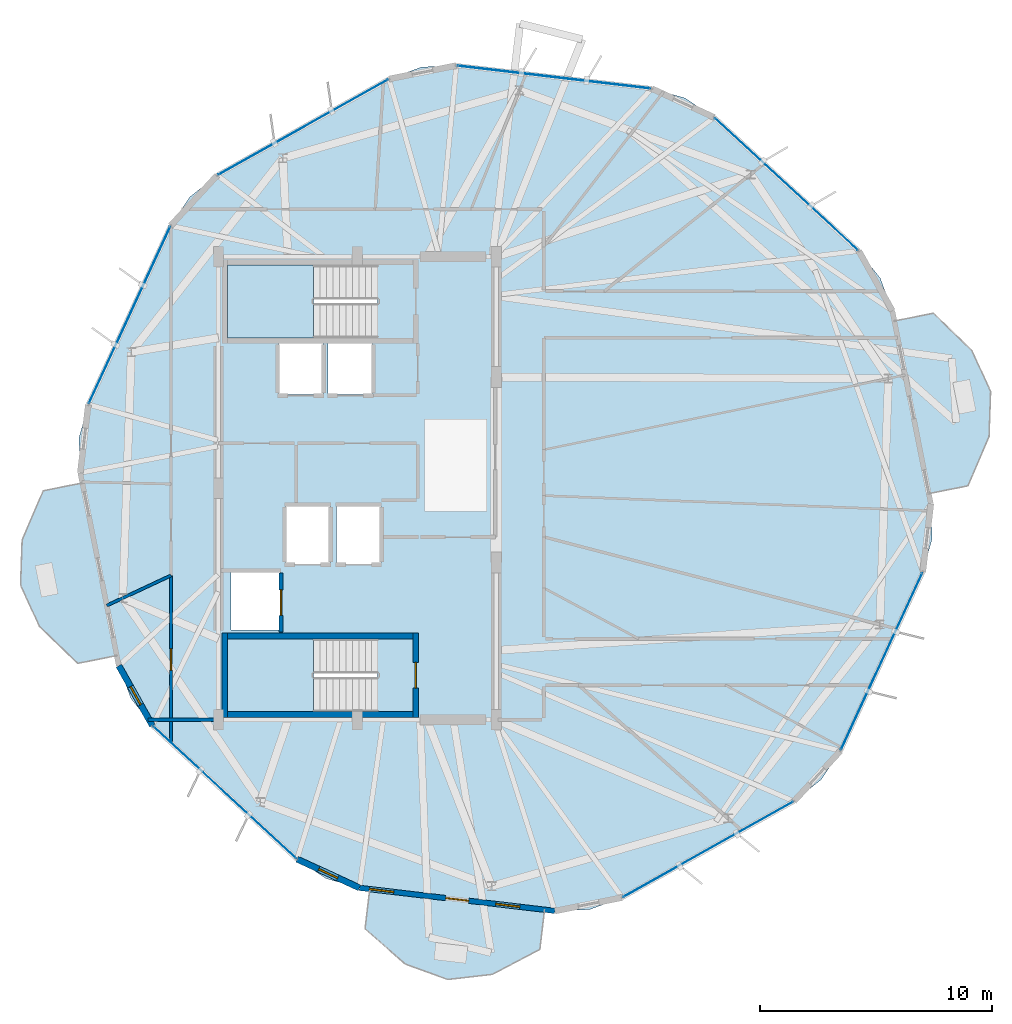
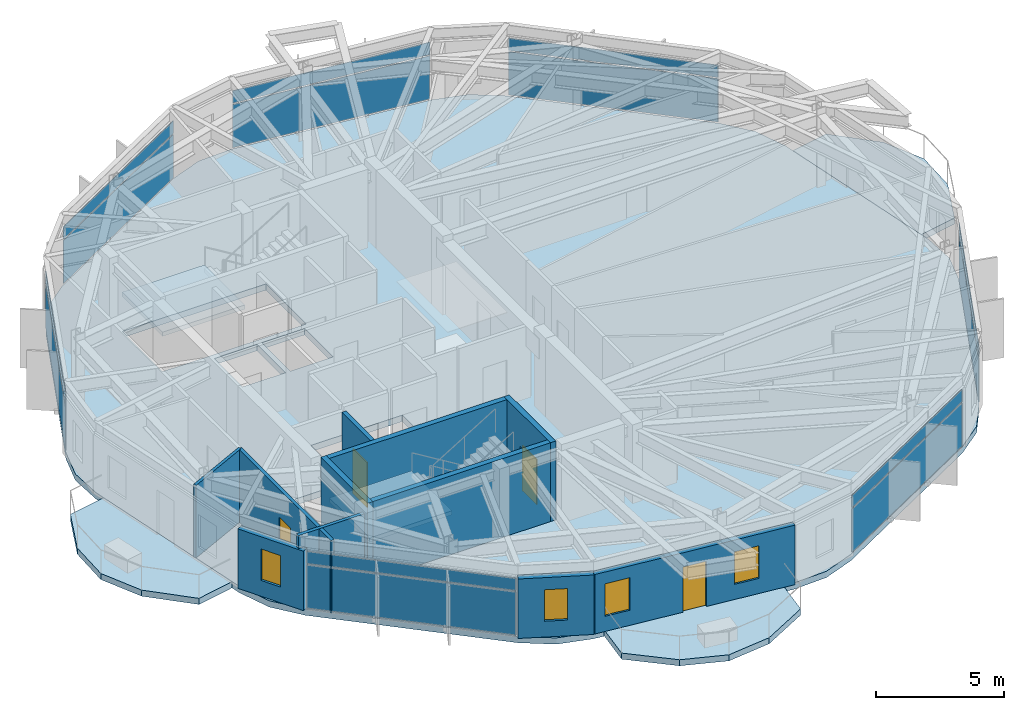
# One storey, part 19 of 25: 14 plates, 11 walls, 6 slabs, 4 doors, 4 windows, 8 openings, 9 elements without a shape of their own.
"""IFC4 building model written with IfcOpenShell, lengths in metres."""

import ifcopenshell
import ifcopenshell.guid

model = None  # the IFC model being written
_history = None  # IfcOwnerHistory: only IFC2X3 demands one
_inside = {}  # id of a spatial element -> (the spatial element, [elements in it])
_under = {}  # id of a project, library or spatial element -> (it, [spatial elements below it])
_declared = {}  # id of a project -> (the project, [libraries it declares])
_typed = {}  # id of a type object -> (the type object, [elements of that type])
_made_of = {}  # id of a material, layer set ... -> (it, [elements and type objects made of it])


def new_model(schema):
    """Start an empty IFC model of exactly this schema.

    Asked for "IFC4X3", IfcOpenShell would pick the latest addendum, in which some entities
    have other attributes; the version numbers below select the first issue.
    IFC2X3 requires an IfcOwnerHistory on every rooted entity: one is made here for all.
    """
    global model, _history
    if schema == "IFC4X3":
        model = ifcopenshell.file(schema_version=(4, 3, 0, 0))
    else:
        model = ifcopenshell.file(schema=schema)
    _inside.clear()
    _under.clear()
    _declared.clear()
    _typed.clear()
    _made_of.clear()
    _history = None
    if model.schema == "IFC2X3":
        org = make("IfcOrganization", Name="unknown")
        user = make(
            "IfcPersonAndOrganization",
            ThePerson=make("IfcPerson", FamilyName="unknown"),
            TheOrganization=org,
        )
        app = make(
            "IfcApplication",
            ApplicationDeveloper=org,
            Version="unknown",
            ApplicationFullName="unknown",
            ApplicationIdentifier="unknown",
        )
        _history = make(
            "IfcOwnerHistory",
            OwningUser=user,
            OwningApplication=app,
            ChangeAction="ADDED",
            CreationDate=0,
        )
    return model


def make(cls, **values):
    """One entity of the class cls with the attributes given. An attribute that is None is left unset."""
    return model.create_entity(
        cls, **{name: value for name, value in values.items() if value is not None}
    )


def rooted(cls, **values):
    """An entity with a GlobalId (a new one), such as an element, a storey or a relation."""
    return make(cls, GlobalId=ifcopenshell.guid.new(), OwnerHistory=_history, **values)


def si_unit(unit_type, name, prefix=None):
    """IfcSIUnit, for example si_unit("LENGTHUNIT", "METRE", prefix="MILLI")."""
    return make("IfcSIUnit", UnitType=unit_type, Prefix=prefix, Name=name)


def assignment(units):
    """IfcUnitAssignment: the units of a project."""
    return None if units is None else make("IfcUnitAssignment", Units=units)


def point(xyz):
    """IfcCartesianPoint."""
    return None if xyz is None else make("IfcCartesianPoint", Coordinates=xyz)


def direction(xyz):
    """IfcDirection."""
    return None if xyz is None else make("IfcDirection", DirectionRatios=xyz)


def frame(location, z_axis=None, x_axis=None):
    """IfcAxis2Placement3D, a coordinate frame: its origin and axes. An axis left out is left unset."""
    return make(
        "IfcAxis2Placement3D",
        Location=point(location),
        Axis=direction(z_axis),
        RefDirection=direction(x_axis),
    )


def frame_2d(location, x_axis=None):
    """IfcAxis2Placement2D, a coordinate frame in the plane: its origin and x axis."""
    return make(
        "IfcAxis2Placement2D", Location=point(location), RefDirection=direction(x_axis)
    )


def origin():
    """The frame at (0, 0, 0) with its axes left unset."""
    return frame((0.0, 0.0, 0.0))


def origin_2d():
    """The frame at (0, 0) in the plane with its x axis left unset."""
    return frame_2d((0.0, 0.0))


def place(relative_to, where):
    """IfcLocalPlacement: puts the frame where relative to a parent placement (None: the world)."""
    return make(
        "IfcLocalPlacement", PlacementRelTo=relative_to, RelativePlacement=where
    )


def context(
    kind, dimensions, precision=None, world=None, true_north=None, identifier=None
):
    """IfcGeometricRepresentationContext, for example the 3D "Model" context."""
    return make(
        "IfcGeometricRepresentationContext",
        ContextIdentifier=identifier,
        ContextType=kind,
        CoordinateSpaceDimension=dimensions,
        Precision=precision,
        WorldCoordinateSystem=world,
        TrueNorth=true_north,
    )


def subcontext(parent, identifier, kind, view, scale=None):
    """IfcGeometricRepresentationSubContext, for example "Body" below "Model"."""
    return make(
        "IfcGeometricRepresentationSubContext",
        ContextIdentifier=identifier,
        ContextType=kind,
        ParentContext=parent,
        TargetScale=scale,
        TargetView=view,
    )


def project(units=None, contexts=None):
    """IfcProject with its units and contexts."""
    return rooted(
        "IfcProject",
        Name="project",
        RepresentationContexts=contexts,
        UnitsInContext=assignment(units),
    )


def spatial(cls, under=None, at=None, **own):
    """A site, building, storey or space (cls), placed at a placement, below another one or the project."""
    s = rooted(cls, ObjectPlacement=at, **own)
    if under is not None:
        _under.setdefault(under.id(), (under, []))[1].append(s)
    return s


def polyline(points):
    """IfcPolyline through the points."""
    return make("IfcPolyline", Points=[point(p) for p in points])


def profile(cls, at=None, kind="AREA", **sizes):
    """A parametric profile (cls). Its sizes go by their IFC names, for example OverallWidth=200.0."""
    return make(cls, ProfileType=kind, Position=at, **sizes)


def rectangle(**sizes):
    """IfcRectangleProfileDef."""
    return profile("IfcRectangleProfileDef", **sizes)


def outline(outer, holes=None, kind="AREA"):
    """IfcArbitraryClosedProfileDef: a profile drawn as a closed curve; with holes, ...WithVoids."""
    if holes is None:
        return make("IfcArbitraryClosedProfileDef", ProfileType=kind, OuterCurve=outer)
    return make(
        "IfcArbitraryProfileDefWithVoids",
        ProfileType=kind,
        OuterCurve=outer,
        InnerCurves=holes,
    )


def extrude(swept, where, along, depth):
    """IfcExtrudedAreaSolid: the profile swept, set in the frame where, extruded along a direction by depth."""
    return make(
        "IfcExtrudedAreaSolid",
        SweptArea=swept,
        Position=where,
        ExtrudedDirection=direction(along),
        Depth=depth,
    )


def shape(context_of_items, identifier, shape_type, items):
    """IfcShapeRepresentation: the items that make up one representation, for example the "Body"."""
    return make(
        "IfcShapeRepresentation",
        ContextOfItems=context_of_items,
        RepresentationIdentifier=identifier,
        RepresentationType=shape_type,
        Items=items,
    )


def material(Name=None, Category=None):
    """IfcMaterial."""
    return make("IfcMaterial", Name=Name, Category=Category)


def layer(
    of_material, thickness, ventilated=None, Name=None, Category=None, Priority=None
):
    """IfcMaterialLayer: one layer of a wall or slab, of a material (None: an air gap)."""
    return make(
        "IfcMaterialLayer",
        Material=of_material,
        LayerThickness=thickness,
        IsVentilated=ventilated,
        Name=Name,
        Category=Category,
        Priority=Priority,
    )


def layer_set(layers, Name=None):
    """IfcMaterialLayerSet."""
    return make("IfcMaterialLayerSet", MaterialLayers=layers, LayerSetName=Name)


def made_of(thing, what):
    """Note that an element or type object is made of a material, layer set ...; save() writes the relation."""
    if what is not None:
        _made_of.setdefault(what.id(), (what, []))[1].append(thing)
    return thing


def type_object(cls, material=None, **own):
    """A type object (cls), such as IfcWallType, which elements share."""
    return made_of(rooted(cls, **own), material)


def element(
    cls,
    number,
    at=None,
    inside=None,
    cuts=None,
    type_object=None,
    material=None,
    context=None,
    identifier="Body",
    shape_type=None,
    held_by="IfcProductDefinitionShape",
    body=None,
    shapes=None,
    **own,
):
    """One element of the class cls, such as IfcWall. Its Tag is "e" and its number.

    at: its placement. inside: the storey or other place that contains it. cuts: it is an
    opening in that element (IfcRelVoidsElement). A single representation is given by context,
    identifier, shape_type and body (its items); several are given by shapes. held_by: the class
    of the entity that holds the representations. save() writes the other relations.
    """
    e = rooted(cls, Tag="e%d" % number, ObjectPlacement=at, **own)
    if body is not None:
        shapes = [shape(context, identifier, shape_type, body)]
    if shapes is not None:
        e.Representation = make(held_by, Representations=shapes)
    if inside is not None:
        _inside.setdefault(inside.id(), (inside, []))[1].append(e)
    if cuts is not None:
        rooted(
            "IfcRelVoidsElement", RelatingBuildingElement=cuts, RelatedOpeningElement=e
        )
    if type_object is not None:
        _typed.setdefault(type_object.id(), (type_object, []))[1].append(e)
    return made_of(e, material)


def fill(opening, filler):
    """IfcRelFillsElement: the door or window that sits in an opening."""
    return rooted(
        "IfcRelFillsElement",
        RelatingOpeningElement=opening,
        RelatedBuildingElement=filler,
    )


def aggregate(whole, parts):
    """IfcRelAggregates: a whole, such as a stair, and the parts it consists of."""
    return rooted("IfcRelAggregates", RelatingObject=whole, RelatedObjects=parts)


def save(model, path):
    """Write the relations noted so far, then the file.

    IfcRelAggregates (storeys below a building ...), IfcRelContainedInSpatialStructure (elements
    in a storey), IfcRelDefinesByType, IfcRelAssociatesMaterial and IfcRelDeclares: one each for
    every whole, place, type object, material and project.
    """
    for whole, parts in _under.values():
        aggregate(whole, parts)
    for where, things in _inside.values():
        rooted(
            "IfcRelContainedInSpatialStructure",
            RelatedElements=things,
            RelatingStructure=where,
        )
    for kind, things in _typed.values():
        rooted("IfcRelDefinesByType", RelatedObjects=things, RelatingType=kind)
    for what, things in _made_of.values():
        rooted("IfcRelAssociatesMaterial", RelatedObjects=things, RelatingMaterial=what)
    for by, libraries in _declared.values():
        rooted("IfcRelDeclares", RelatingContext=by, RelatedDefinitions=libraries)
    model.write(path)


model = new_model("IFC4")

# Units and contexts
model_context = context("Model", 3, precision=1e-05, world=origin(), true_north=direction((0.0, 1.0)))
body_context = subcontext(model_context, "Body", "Model", "MODEL_VIEW")
ifc_project = project(units=[si_unit("LENGTHUNIT", "METRE"), si_unit("AREAUNIT", "SQUARE_METRE"), si_unit("VOLUMEUNIT", "CUBIC_METRE"), si_unit("PLANEANGLEUNIT", "RADIAN"), si_unit("MASSUNIT", "GRAM", prefix="KILO")], contexts=[model_context])

# Site, building, storey
site_placement = place(None, origin())
site = spatial("IfcSite", under=ifc_project, at=site_placement, CompositionType="ELEMENT")
building_placement = place(site_placement, origin())
building = spatial("IfcBuilding", under=site, at=building_placement, Name="Soratama Intermodal Tower", CompositionType="ELEMENT")
storey_placement = place(building_placement, frame((0.0, 0.0, 272.5)))
storey = spatial("IfcBuildingStorey", under=building, at=storey_placement, Name="L69", CompositionType="ELEMENT", Elevation=272.5)

# Curtain wall, plates
ifc_material_1 = material(Name="Double-glazed aluminium curtain wall", Category="aluminium")
ifc_layer_1 = layer(ifc_material_1, 0.159912109375)
ifc_layer_set_1 = layer_set([ifc_layer_1], Name="Double-glazed aluminium curtain wall")
curtain_wall_type = type_object("IfcCurtainWallType", Name="CW-SYS-5", PredefinedType="NOTDEFINED", material=ifc_layer_set_1)
curtain_wall_1_placement = place(storey_placement, origin())
curtain_wall_1 = element("IfcCurtainWall", 1, at=curtain_wall_1_placement, inside=storey, type_object=curtain_wall_type, Name="L69 Faceted Curtain Wall F01", PredefinedType="NOTDEFINED")
ifc_material_2 = material(Name="Low-E laminated double glazing", Category="glass")
ifc_layer_2 = layer(ifc_material_2, 0.02001953125)
ifc_layer_set_2 = layer_set([ifc_layer_2], Name="Low-E laminated double glazing")
plate_type = type_object("IfcPlateType", Name="PT-CWP-5", PredefinedType="CURTAIN_PANEL", material=ifc_layer_set_2)
plate_1_placement = place(storey_placement, frame((47.09228515625, 42.757080078125, 0.06005859375), z_axis=(0.0, 0.0, 1.0), x_axis=(-0.993130352267, 0.117013261669, 0.0)))
plate_1 = element("IfcPlate", 2, at=plate_1_placement, type_object=plate_type, Name="CW-5 panel 1.1", PredefinedType="CURTAIN_PANEL", context=body_context, shape_type="SweptSolid", body=[
    extrude(rectangle(XDim=8.3798828125, YDim=0.028076171875, at=origin_2d()), origin(), (0.0, 0.0, 1.0), 2.06005859375),
])
plate_2_placement = place(storey_placement, frame((47.09228515625, 42.757080078125, 2.18017578125), z_axis=(0.0, 0.0, 1.0), x_axis=(-0.993130352267, 0.117013261669, 0.0)))
plate_2 = element("IfcPlate", 3, at=plate_2_placement, type_object=plate_type, Name="CW-5 panel 1.2", PredefinedType="CURTAIN_PANEL", context=body_context, shape_type="SweptSolid", body=[
    extrude(rectangle(XDim=8.3798828125, YDim=0.028076171875, at=origin_2d()), origin(), (0.0, 0.0, 1.0), 0.589111328125),
])
aggregate(curtain_wall_1, [plate_1, plate_2])

curtain_wall_2_placement = place(storey_placement, origin())
curtain_wall_2 = element("IfcCurtainWall", 4, at=curtain_wall_2_placement, inside=storey, type_object=curtain_wall_type, Name="L69 Faceted Curtain Wall F02", PredefinedType="NOTDEFINED")
plate_3_placement = place(storey_placement, frame((36.25537109375, 40.595458984375, 0.06005859375), z_axis=(0.0, 0.0, 1.0), x_axis=(-0.872239262333, -0.489079409958, 0.0)))
plate_3 = element("IfcPlate", 5, at=plate_3_placement, type_object=plate_type, Name="CW-5 panel 1.1", PredefinedType="CURTAIN_PANEL", context=body_context, shape_type="SweptSolid", body=[
    extrude(rectangle(XDim=8.3798828125, YDim=0.028076171875, at=origin_2d()), origin(), (0.0, 0.0, 1.0), 2.06005859375),
])
plate_4_placement = place(storey_placement, frame((36.25537109375, 40.595458984375, 2.18017578125), z_axis=(0.0, 0.0, 1.0), x_axis=(-0.872239262333, -0.489079409958, 0.0)))
plate_4 = element("IfcPlate", 6, at=plate_4_placement, type_object=plate_type, Name="CW-5 panel 1.2", PredefinedType="CURTAIN_PANEL", context=body_context, shape_type="SweptSolid", body=[
    extrude(rectangle(XDim=8.3798828125, YDim=0.028076171875, at=origin_2d()), origin(), (0.0, 0.0, 1.0), 0.589111328125),
])
aggregate(curtain_wall_2, [plate_3, plate_4])

curtain_wall_3_placement = place(storey_placement, origin())
curtain_wall_3 = element("IfcCurtainWall", 7, at=curtain_wall_3_placement, inside=storey, type_object=curtain_wall_type, Name="L69 Faceted Curtain Wall F03", PredefinedType="NOTDEFINED")
plate_5_placement = place(storey_placement, frame((28.758544921875, 32.47705078125, 0.06005859375), z_axis=(0.0, 0.0, 1.0), x_axis=(-0.418185826877, -0.908361499734, 0.0)))
plate_5 = element("IfcPlate", 8, at=plate_5_placement, type_object=plate_type, Name="CW-5 panel 1.1", PredefinedType="CURTAIN_PANEL", context=body_context, shape_type="SweptSolid", body=[
    extrude(rectangle(XDim=8.3798828125, YDim=0.028076171875, at=origin_2d()), origin(), (0.0, 0.0, 1.0), 2.06005859375),
])
plate_6_placement = place(storey_placement, frame((28.758544921875, 32.47705078125, 2.18017578125), z_axis=(0.0, 0.0, 1.0), x_axis=(-0.418185826877, -0.908361499734, 0.0)))
plate_6 = element("IfcPlate", 9, at=plate_6_placement, type_object=plate_type, Name="CW-5 panel 1.2", PredefinedType="CURTAIN_PANEL", context=body_context, shape_type="SweptSolid", body=[
    extrude(rectangle(XDim=8.3798828125, YDim=0.028076171875, at=origin_2d()), origin(), (0.0, 0.0, 1.0), 0.589111328125),
])
aggregate(curtain_wall_3, [plate_5, plate_6])

curtain_wall_4_placement = place(storey_placement, origin())
curtain_wall_4 = element("IfcCurtainWall", 10, at=curtain_wall_4_placement, inside=storey, type_object=curtain_wall_type, Name="L69 Faceted Curtain Wall F05", PredefinedType="NOTDEFINED")
plate_7_placement = place(storey_placement, frame((32.8701171875, 11.864013671875, 0.06005859375), z_axis=(0.0, 0.0, 1.0), x_axis=(0.734677136686, -0.678416910779, 0.0)))
plate_7 = element("IfcPlate", 11, at=plate_7_placement, type_object=plate_type, Name="CW-5 panel 1.1", PredefinedType="CURTAIN_PANEL", context=body_context, shape_type="SweptSolid", body=[
    extrude(rectangle(XDim=8.3798828125, YDim=0.028076171875, at=origin_2d()), origin(), (0.0, 0.0, 1.0), 2.06005859375),
])
plate_8_placement = place(storey_placement, frame((32.8701171875, 11.864013671875, 2.18017578125), z_axis=(0.0, 0.0, 1.0), x_axis=(0.734677136686, -0.678416910779, 0.0)))
plate_8 = element("IfcPlate", 12, at=plate_8_placement, type_object=plate_type, Name="CW-5 panel 1.2", PredefinedType="CURTAIN_PANEL", context=body_context, shape_type="SweptSolid", body=[
    extrude(rectangle(XDim=8.3798828125, YDim=0.028076171875, at=origin_2d()), origin(), (0.0, 0.0, 1.0), 0.589111328125),
])
aggregate(curtain_wall_4, [plate_7, plate_8])

curtain_wall_5_placement = place(storey_placement, origin())
curtain_wall_5 = element("IfcCurtainWall", 13, at=curtain_wall_5_placement, inside=storey, type_object=curtain_wall_type, Name="L69 Faceted Curtain Wall F07", PredefinedType="NOTDEFINED")
plate_9_placement = place(storey_placement, frame((53.74462890625, 9.404541015625, 0.06005859375), z_axis=(0.0, 0.0, 1.0), x_axis=(0.872239262333, 0.489079409958, 0.0)))
plate_9 = element("IfcPlate", 14, at=plate_9_placement, type_object=plate_type, Name="CW-5 panel 1.1", PredefinedType="CURTAIN_PANEL", context=body_context, shape_type="SweptSolid", body=[
    extrude(rectangle(XDim=8.3798828125, YDim=0.028076171875, at=origin_2d()), origin(), (0.0, 0.0, 1.0), 2.06005859375),
])
plate_10_placement = place(storey_placement, frame((53.74462890625, 9.404541015625, 2.18017578125), z_axis=(0.0, 0.0, 1.0), x_axis=(0.872239262333, 0.489079409958, 0.0)))
plate_10 = element("IfcPlate", 15, at=plate_10_placement, type_object=plate_type, Name="CW-5 panel 1.2", PredefinedType="CURTAIN_PANEL", context=body_context, shape_type="SweptSolid", body=[
    extrude(rectangle(XDim=8.3798828125, YDim=0.028076171875, at=origin_2d()), origin(), (0.0, 0.0, 1.0), 0.589111328125),
])
aggregate(curtain_wall_5, [plate_9, plate_10])

curtain_wall_6_placement = place(storey_placement, origin())
curtain_wall_6 = element("IfcCurtainWall", 16, at=curtain_wall_6_placement, inside=storey, type_object=curtain_wall_type, Name="L69 Faceted Curtain Wall F08", PredefinedType="NOTDEFINED")
plate_11_placement = place(storey_placement, frame((61.241455078125, 17.52294921875, 0.06005859375), z_axis=(0.0, 0.0, 1.0), x_axis=(0.418185826877, 0.908361499734, 0.0)))
plate_11 = element("IfcPlate", 17, at=plate_11_placement, type_object=plate_type, Name="CW-5 panel 1.1", PredefinedType="CURTAIN_PANEL", context=body_context, shape_type="SweptSolid", body=[
    extrude(rectangle(XDim=8.3798828125, YDim=0.028076171875, at=origin_2d()), origin(), (0.0, 0.0, 1.0), 2.06005859375),
])
plate_12_placement = place(storey_placement, frame((61.241455078125, 17.52294921875, 2.18017578125), z_axis=(0.0, 0.0, 1.0), x_axis=(0.418185826877, 0.908361499734, 0.0)))
plate_12 = element("IfcPlate", 18, at=plate_12_placement, type_object=plate_type, Name="CW-5 panel 1.2", PredefinedType="CURTAIN_PANEL", context=body_context, shape_type="SweptSolid", body=[
    extrude(rectangle(XDim=8.3798828125, YDim=0.028076171875, at=origin_2d()), origin(), (0.0, 0.0, 1.0), 0.589111328125),
])
aggregate(curtain_wall_6, [plate_11, plate_12])

curtain_wall_7_placement = place(storey_placement, origin())
curtain_wall_7 = element("IfcCurtainWall", 19, at=curtain_wall_7_placement, inside=storey, type_object=curtain_wall_type, Name="L69 Faceted Curtain Wall F10", PredefinedType="NOTDEFINED")
plate_13_placement = place(storey_placement, frame((57.1298828125, 38.135986328125, 0.06005859375), z_axis=(0.0, 0.0, 1.0), x_axis=(-0.734677136686, 0.678416910779, 0.0)))
plate_13 = element("IfcPlate", 20, at=plate_13_placement, type_object=plate_type, Name="CW-5 panel 1.1", PredefinedType="CURTAIN_PANEL", context=body_context, shape_type="SweptSolid", body=[
    extrude(rectangle(XDim=8.3798828125, YDim=0.028076171875, at=origin_2d()), origin(), (0.0, 0.0, 1.0), 2.06005859375),
])
plate_14_placement = place(storey_placement, frame((57.1298828125, 38.135986328125, 2.18017578125), z_axis=(0.0, 0.0, 1.0), x_axis=(-0.734677136686, 0.678416910779, 0.0)))
plate_14 = element("IfcPlate", 21, at=plate_14_placement, type_object=plate_type, Name="CW-5 panel 1.2", PredefinedType="CURTAIN_PANEL", context=body_context, shape_type="SweptSolid", body=[
    extrude(rectangle(XDim=8.3798828125, YDim=0.028076171875, at=origin_2d()), origin(), (0.0, 0.0, 1.0), 0.589111328125),
])
aggregate(curtain_wall_7, [plate_13, plate_14])

# Slabs
ifc_material_3 = material(Name="Concrete f'c 42 MPa", Category="concrete")
ifc_layer_3 = layer(ifc_material_3, 0.2900390625)
ifc_layer_set_3 = layer_set([ifc_layer_3], Name="Concrete f'c 42 MPa")
slab_type_1 = type_object("IfcSlabType", Name="SL-EXT-BAL2", PredefinedType="FLOOR", material=ifc_layer_set_3)
slab_1_placement = place(storey_placement, frame((0.0, 0.0, -0.2900390625)))
element("IfcSlab", 22, at=slab_1_placement, inside=storey, type_object=slab_type_1, Name="L69 Planted Balcony East 1", PredefinedType="FLOOR", context=body_context, shape_type="SweptSolid", body=[
    extrude(outline(polyline([(63.27783203125, 24.77099609375), (61.791259765625, 32.223876953125), (63.47802734375, 32.560302734375), (65.13525390625, 30.95361328125), (65.947265625, 29.177978515625), (65.87841796875, 27.22705078125), (64.964599609375, 25.107421875), (63.27783203125, 24.77099609375)])), origin(), (0.0, 0.0, 1.0), 0.2900390625),
])
slab_2_placement = place(storey_placement, frame((0.0, 0.0, -0.2900390625)))
element("IfcSlab", 23, at=slab_2_placement, inside=storey, type_object=slab_type_1, Name="L69 Planted Balcony West 2", PredefinedType="FLOOR", context=body_context, shape_type="SweptSolid", body=[
    extrude(outline(polyline([(26.72216796875, 25.22900390625), (28.208740234375, 17.776123046875), (26.52197265625, 17.439697265625), (24.86474609375, 19.04638671875), (24.052734375, 20.822021484375), (24.12158203125, 22.77294921875), (25.035400390625, 24.892578125), (26.72216796875, 25.22900390625)])), origin(), (0.0, 0.0, 1.0), 0.2900390625),
])
slab_3_placement = place(storey_placement, frame((0.0, 0.0, -0.2900390625)))
element("IfcSlab", 24, at=slab_3_placement, inside=storey, type_object=slab_type_1, Name="L69 Planted Balcony South 3", PredefinedType="FLOOR", context=body_context, shape_type="SweptSolid", body=[
    extrude(outline(polyline([(39.1337890625, 7.6875), (46.681640625, 6.79833984375), (46.480224609375, 5.090087890625), (44.43994140625, 4.010498046875), (42.50048828125, 3.786865234375), (40.666259765625, 4.455078125), (38.9326171875, 5.9794921875), (39.1337890625, 7.6875)])), origin(), (0.0, 0.0, 1.0), 0.2900390625),
])

# Stair, slab
ifc_material_4 = material(Name="Concrete f'c 42 MPa", Category="concrete")
stair_type = type_object("IfcStairType", Name="ST-CORE-DOGLEG", PredefinedType="HALF_TURN_STAIR", material=ifc_material_4)
stair_1_placement = place(storey_placement, origin())
stair_1 = element("IfcStair", 25, at=stair_1_placement, inside=storey, type_object=stair_type, Name="L69 ST-1", PredefinedType="HALF_TURN_STAIR")
ifc_material_5 = material(Name="Concrete f'c 42 MPa", Category="concrete")
ifc_layer_4 = layer(ifc_material_5, 0.219970703125)
ifc_layer_set_4 = layer_set([ifc_layer_4], Name="Concrete f'c 42 MPa")
slab_type_2 = type_object("IfcSlabType", Name="SL-STAIR-LAND", PredefinedType="LANDING", material=ifc_layer_set_4)
slab_4_placement = place(storey_placement, frame((0.0, 0.0, 1.675048828125)))
slab_4 = element("IfcSlab", 26, at=slab_4_placement, type_object=slab_type_2, Name="ST-1 landing 1", PredefinedType="LANDING", context=body_context, shape_type="SweptSolid", body=[
    extrude(outline(polyline([(36.699951171875, 18.5), (33.0, 18.5), (33.0, 15.35009765625), (36.699951171875, 15.35009765625), (36.699951171875, 18.5)])), origin(), (0.0, 0.0, 1.0), 0.199951171875),
])
aggregate(stair_1, [slab_4])

stair_2_placement = place(storey_placement, origin())
stair_2 = element("IfcStair", 27, at=stair_2_placement, inside=storey, type_object=stair_type, Name="L69 ST-2", PredefinedType="HALF_TURN_STAIR")
slab_5_placement = place(storey_placement, frame((0.0, 0.0, 1.675048828125)))
slab_5 = element("IfcSlab", 28, at=slab_5_placement, type_object=slab_type_2, Name="ST-2 landing 1", PredefinedType="LANDING", context=body_context, shape_type="SweptSolid", body=[
    extrude(outline(polyline([(36.699951171875, 34.64990234375), (33.0, 34.64990234375), (33.0, 31.5), (36.699951171875, 31.5), (36.699951171875, 34.64990234375)])), origin(), (0.0, 0.0, 1.0), 0.199951171875),
])
aggregate(stair_2, [slab_5])

# Slab
ifc_material_6 = material(Name="Concrete f'c 42 MPa", Category="concrete")
ifc_layer_5 = layer(ifc_material_6, 0.280029296875)
ifc_layer_set_5 = layer_set([ifc_layer_5], Name="Concrete f'c 42 MPa")
slab_type_3 = type_object("IfcSlabType", Name="SL-TWR-280", PredefinedType="FLOOR", material=ifc_layer_set_5)
slab_6_placement = place(storey_placement, frame((0.0, 0.0, -0.300048828125)))
element("IfcSlab", 29, at=slab_6_placement, inside=storey, type_object=slab_type_3, Name="L69 Structural Floor Slab", PredefinedType="FLOOR", context=body_context, shape_type="SweptSolid", body=[
    extrude(outline(polyline([(54.0078125, 41.01904296875), (52.758544921875, 41.852783203125), (51.31298828125, 42.259765625), (42.87158203125, 43.25439453125), (41.37109375, 43.194580078125), (39.96240234375, 42.674072265625), (32.54833984375, 38.51708984375), (31.369384765625, 37.586669921875), (30.535888671875, 36.33740234375), (26.9814453125, 28.61669921875), (26.574462890625, 27.1708984375), (26.63427734375, 25.67041015625), (28.296875, 17.334716796875), (28.8173828125, 15.926025390625), (29.747802734375, 14.747314453125), (35.9921875, 8.98095703125), (37.241455078125, 8.147216796875), (38.68701171875, 7.740234375), (47.12841796875, 6.74560546875), (48.62890625, 6.805419921875), (50.03759765625, 7.325927734375), (57.45166015625, 11.48291015625), (58.630615234375, 12.413330078125), (59.464111328125, 13.66259765625), (63.0185546875, 21.38330078125), (63.425537109375, 22.8291015625), (63.36572265625, 24.32958984375), (61.703125, 32.665283203125), (61.1826171875, 34.073974609375), (60.252197265625, 35.252685546875), (54.0078125, 41.01904296875)]), holes=[polyline([(33.0, 15.35009765625), (39.47509765625, 15.35009765625), (39.47509765625, 18.5), (33.0, 18.5), (33.0, 15.35009765625)]), polyline([(35.260009765625, 21.409912109375), (33.139892578125, 21.409912109375), (33.139892578125, 18.889892578125), (35.260009765625, 18.889892578125), (35.260009765625, 21.409912109375)]), polyline([(37.409912109375, 24.260009765625), (35.489990234375, 24.260009765625), (35.489990234375, 21.739990234375), (37.409912109375, 21.739990234375), (37.409912109375, 24.260009765625)]), polyline([(39.610107421875, 24.260009765625), (37.68994140625, 24.260009765625), (37.68994140625, 21.739990234375), (39.610107421875, 21.739990234375), (39.610107421875, 24.260009765625)]), polyline([(37.110107421875, 31.260009765625), (35.18994140625, 31.260009765625), (35.18994140625, 29.0400390625), (37.110107421875, 29.0400390625), (37.110107421875, 31.260009765625)]), polyline([(39.260009765625, 31.260009765625), (37.340087890625, 31.260009765625), (37.340087890625, 29.0400390625), (39.260009765625, 29.0400390625), (39.260009765625, 31.260009765625)]), polyline([(33.0, 34.64990234375), (33.0, 31.5), (39.47509765625, 31.5), (39.47509765625, 34.64990234375), (33.0, 34.64990234375)])]), origin(), (0.0, 0.0, 1.0), 0.300048828125),
])

# Wall, openings, door, windows
ifc_material_7 = material(Name="Concrete f'c 42 MPa", Category="concrete")
ifc_layer_6 = layer(ifc_material_7, 0.22998046875)
ifc_layer_set_6 = layer_set([ifc_layer_6], Name="Concrete f'c 42 MPa")
wall_type_1 = type_object("IfcWallType", Name="EW-BAL-230", PredefinedType="SOLIDWALL", material=ifc_layer_set_6)
wall_1_placement = place(storey_placement, frame((38.68701171875, 7.740234375, 0.0), z_axis=(0.0, 0.0, 1.0), x_axis=(0.99312980603, -0.117017897668, 0.0)))
wall_1 = element("IfcWall", 30, at=wall_1_placement, inside=storey, type_object=wall_type_1, Name="L69 Terrace Wall F06", PredefinedType="SOLIDWALL", context=body_context, shape_type="SweptSolid", body=[
    extrude(rectangle(XDim=8.499755859375, YDim=0.22998046875, at=frame_2d((4.25, 0.0))), origin(), (0.0, 0.0, 1.0), 2.8291015625),
])
opening_1_placement = place(wall_1_placement, frame((3.75, 0.0, 0.0)))
opening_1 = element("IfcOpeningElement", 31, at=opening_1_placement, cuts=wall_1, Name="Opening ED-2", PredefinedType="OPENING", context=body_context, shape_type="SweptSolid", body=[
    extrude(rectangle(XDim=1.0, YDim=2.14990234375, at=frame_2d((0.5, 1.074951171875))), frame((0.0, 0.125, 0.0), z_axis=(0.0, -1.0, 0.0), x_axis=(1.0, 0.0, 0.0)), (0.0, 0.0, 1.0), 0.25),
])
opening_2_placement = place(wall_1_placement, frame((0.43994140625, 0.0, 0.719970703125)))
opening_2 = element("IfcOpeningElement", 32, at=opening_2_placement, cuts=wall_1, Name="Opening WN-5", PredefinedType="OPENING", context=body_context, shape_type="SweptSolid", body=[
    extrude(rectangle(XDim=1.050048828125, YDim=1.550048828125, at=frame_2d((0.52490234375, 0.77490234375))), frame((0.0, 0.125, 0.0), z_axis=(0.0, -1.0, 0.0), x_axis=(1.0, 0.0, 0.0)), (0.0, 0.0, 1.0), 0.25),
])
opening_3_placement = place(wall_1_placement, frame((5.929931640625, 0.0, 0.719970703125)))
opening_3 = element("IfcOpeningElement", 33, at=opening_3_placement, cuts=wall_1, Name="Opening WN-5", PredefinedType="OPENING", context=body_context, shape_type="SweptSolid", body=[
    extrude(rectangle(XDim=1.050048828125, YDim=1.550048828125, at=frame_2d((0.52490234375, 0.77490234375))), frame((0.0, 0.125, 0.0), z_axis=(0.0, -1.0, 0.0), x_axis=(1.0, 0.0, 0.0)), (0.0, 0.0, 1.0), 0.25),
])
ifc_material_8 = material(Name="Double-glazed aluminium door", Category="aluminium")
door_type_1 = type_object("IfcDoorType", Name="DR-BAL-1000", OperationType="NOTDEFINED", PredefinedType="DOOR", material=ifc_material_8)
door_1_placement = place(opening_1_placement, origin())
door_1 = element("IfcDoor", 34, at=door_1_placement, inside=storey, type_object=door_type_1, Name="L69 Balcony Door F06", OperationType="SINGLE_SWING_RIGHT", OverallHeight=2.14990234375, OverallWidth=1.0, PredefinedType="DOOR", context=body_context, shape_type="SweptSolid", body=[
    extrude(rectangle(XDim=1.0, YDim=2.14990234375, at=frame_2d((0.5, 1.074951171875))), frame((0.0, 0.02490234375, 0.0), z_axis=(0.0, -1.0, 0.0), x_axis=(1.0, 0.0, 0.0)), (0.0, 0.0, 1.0), 0.050048828125),
])
fill(opening_1, door_1)
ifc_material_9 = material(Name="Double-glazed aluminium window", Category="aluminium")
window_type_1 = type_object("IfcWindowType", Name="WN-FAC-1050", PartitioningType="SINGLE_PANEL", PredefinedType="WINDOW", material=ifc_material_9)
window_1_placement = place(opening_2_placement, origin())
window_1 = element("IfcWindow", 35, at=window_1_placement, inside=storey, type_object=window_type_1, Name="L69 Window A F06", OverallHeight=1.550048828125, OverallWidth=1.050048828125, PartitioningType="SINGLE_PANEL", PredefinedType="WINDOW", context=body_context, shape_type="SweptSolid", body=[
    extrude(rectangle(XDim=1.050048828125, YDim=1.550048828125, at=frame_2d((0.52490234375, 0.77490234375))), frame((0.0, 0.030029296875, 0.0), z_axis=(0.0, -1.0, 0.0), x_axis=(1.0, 0.0, 0.0)), (0.0, 0.0, 1.0), 0.06005859375),
])
fill(opening_2, window_1)
window_2_placement = place(opening_3_placement, origin())
window_2 = element("IfcWindow", 36, at=window_2_placement, inside=storey, type_object=window_type_1, Name="L69 Window B F06", OverallHeight=1.550048828125, OverallWidth=1.050048828125, PartitioningType="SINGLE_PANEL", PredefinedType="WINDOW", context=body_context, shape_type="SweptSolid", body=[
    extrude(rectangle(XDim=1.050048828125, YDim=1.550048828125, at=frame_2d((0.52490234375, 0.77490234375))), frame((0.0, 0.030029296875, 0.0), z_axis=(0.0, -1.0, 0.0), x_axis=(1.0, 0.0, 0.0)), (0.0, 0.0, 1.0), 0.06005859375),
])
fill(opening_3, window_2)

# Wall, opening, window
ifc_material_10 = material(Name="Concrete f'c 42 MPa", Category="concrete")
ifc_layer_7 = layer(ifc_material_10, 0.27001953125)
ifc_layer_set_7 = layer_set([ifc_layer_7], Name="Concrete f'c 42 MPa")
wall_type_2 = type_object("IfcWallType", Name="EW-CRN-270", PredefinedType="SOLIDWALL", material=ifc_layer_set_7)
wall_2_placement = place(storey_placement, frame((28.296875, 17.334716796875, 0.0), z_axis=(0.0, 0.0, 1.0), x_axis=(0.489112025422, -0.872220973485, 0.0)))
wall_2 = element("IfcWall", 37, at=wall_2_placement, inside=storey, type_object=wall_type_2, Name="L69 Corner Closure Wall 04", PredefinedType="SOLIDWALL", context=body_context, shape_type="SweptSolid", body=[
    extrude(rectangle(XDim=2.966552734375, YDim=0.27001953125, at=frame_2d((1.4833984375, 0.0))), origin(), (0.0, 0.0, 1.0), 2.8291015625),
])
opening_4_placement = place(wall_2_placement, frame((1.033203125, 0.0, 0.75)))
opening_4 = element("IfcOpeningElement", 38, at=opening_4_placement, cuts=wall_2, Name="Opening WN-6", PredefinedType="OPENING", context=body_context, shape_type="SweptSolid", body=[
    extrude(rectangle(XDim=0.89990234375, YDim=1.5, at=frame_2d((0.449951171875, 0.75))), frame((0.0, 0.14501953125, 0.0), z_axis=(0.0, -1.0, 0.0), x_axis=(1.0, 0.0, 0.0)), (0.0, 0.0, 1.0), 0.2900390625),
])
ifc_material_11 = material(Name="Double-glazed aluminium window", Category="aluminium")
window_type_2 = type_object("IfcWindowType", Name="WN-FAC-900", PartitioningType="SINGLE_PANEL", PredefinedType="WINDOW", material=ifc_material_11)
window_3_placement = place(opening_4_placement, origin())
window_3 = element("IfcWindow", 39, at=window_3_placement, inside=storey, type_object=window_type_2, Name="L69 Corner Window 04", OverallHeight=1.5, OverallWidth=0.89990234375, PartitioningType="SINGLE_PANEL", PredefinedType="WINDOW", context=body_context, shape_type="SweptSolid", body=[
    extrude(rectangle(XDim=0.89990234375, YDim=1.5, at=frame_2d((0.449951171875, 0.75))), frame((0.0, 0.030029296875, 0.0), z_axis=(0.0, -1.0, 0.0), x_axis=(1.0, 0.0, 0.0)), (0.0, 0.0, 1.0), 0.06005859375),
])
fill(opening_4, window_3)

wall_3_placement = place(storey_placement, frame((35.9921875, 8.98095703125, 0.0), z_axis=(0.0, 0.0, 1.0), x_axis=(0.908349179755, -0.418212586657, 0.0)))
wall_3 = element("IfcWall", 40, at=wall_3_placement, inside=storey, type_object=wall_type_2, Name="L69 Corner Closure Wall 05", PredefinedType="SOLIDWALL", context=body_context, shape_type="SweptSolid", body=[
    extrude(rectangle(XDim=2.966796875, YDim=0.27001953125, at=frame_2d((1.4833984375, 0.0))), origin(), (0.0, 0.0, 1.0), 2.8291015625),
])
opening_5_placement = place(wall_3_placement, frame((1.033203125, 0.0, 0.75)))
opening_5 = element("IfcOpeningElement", 41, at=opening_5_placement, cuts=wall_3, Name="Opening WN-6", PredefinedType="OPENING", context=body_context, shape_type="SweptSolid", body=[
    extrude(rectangle(XDim=0.89990234375, YDim=1.5, at=frame_2d((0.449951171875, 0.75))), frame((0.0, 0.14501953125, 0.0), z_axis=(0.0, -1.0, 0.0), x_axis=(1.0, 0.0, 0.0)), (0.0, 0.0, 1.0), 0.2900390625),
])
window_4_placement = place(opening_5_placement, origin())
window_4 = element("IfcWindow", 42, at=window_4_placement, inside=storey, type_object=window_type_2, Name="L69 Corner Window 05", OverallHeight=1.5, OverallWidth=0.89990234375, PartitioningType="SINGLE_PANEL", PredefinedType="WINDOW", context=body_context, shape_type="SweptSolid", body=[
    extrude(rectangle(XDim=0.89990234375, YDim=1.5, at=frame_2d((0.449951171875, 0.75))), frame((0.0, 0.030029296875, 0.0), z_axis=(0.0, -1.0, 0.0), x_axis=(1.0, 0.0, 0.0)), (0.0, 0.0, 1.0), 0.06005859375),
])
fill(opening_5, window_4)

# Wall, opening, door
ifc_material_12 = material(Name="Fire-rated gypsum stud partition", Category="concrete")
ifc_layer_8 = layer(ifc_material_12, 0.14990234375)
ifc_layer_set_8 = layer_set([ifc_layer_8], Name="Fire-rated gypsum stud partition")
wall_type_3 = type_object("IfcWallType", Name="IW-PART-R150", PredefinedType="PARTITIONING", material=ifc_layer_set_8)
wall_4_placement = place(storey_placement, frame((30.550048828125, 14.006103515625, 0.0), z_axis=(0.0, 0.0, 1.0), x_axis=(0.0, 1.0, 0.0)))
wall_4 = element("IfcWall", 43, at=wall_4_placement, inside=storey, type_object=wall_type_3, Name="L69 Partition W-L69-TP012", PredefinedType="PARTITIONING", context=body_context, shape_type="SweptSolid", body=[
    extrude(rectangle(XDim=7.227783203125, YDim=0.14990234375, at=frame_2d((3.61376953125, 0.0))), origin(), (0.0, 0.0, 1.0), 3.449951171875),
])
opening_6_placement = place(wall_4_placement, frame((3.138916015625, 0.0, 0.0)))
opening_6 = element("IfcOpeningElement", 44, at=opening_6_placement, cuts=wall_4, Name="Opening ID-6", PredefinedType="OPENING", context=body_context, shape_type="SweptSolid", body=[
    extrude(rectangle(XDim=0.919921875, YDim=2.1201171875, at=frame_2d((0.4599609375, 1.06005859375))), frame((0.0, 0.0849609375, 0.0), z_axis=(0.0, -1.0, 0.0), x_axis=(1.0, 0.0, 0.0)), (0.0, 0.0, 1.0), 0.169921875),
])
ifc_material_13 = material(Name="Solid hardwood acoustic door", Category="wood")
door_type_2 = type_object("IfcDoorType", Name="DR-ROOM-920", OperationType="NOTDEFINED", PredefinedType="DOOR", material=ifc_material_13)
door_2_placement = place(opening_6_placement, origin())
door_2 = element("IfcDoor", 45, at=door_2_placement, inside=storey, type_object=door_type_2, Name="L69 Door D-L69-TP006", OperationType="SINGLE_SWING_LEFT", OverallHeight=2.1201171875, OverallWidth=0.919921875, PredefinedType="DOOR", context=body_context, shape_type="SweptSolid", body=[
    extrude(rectangle(XDim=0.919921875, YDim=2.1201171875, at=frame_2d((0.4599609375, 1.06005859375))), frame((0.0, 0.02490234375, 0.0), z_axis=(0.0, -1.0, 0.0), x_axis=(1.0, 0.0, 0.0)), (0.0, 0.0, 1.0), 0.050048828125),
])
fill(opening_6, door_2)

# Walls
wall_5_placement = place(storey_placement, frame((32.530029296875, 15.0, 0.0), z_axis=(0.0, 0.0, 1.0), x_axis=(-1.0, 0.0, 0.0)))
element("IfcWall", 46, at=wall_5_placement, inside=storey, type_object=wall_type_3, Name="L69 Partition W-L69-TP030", PredefinedType="PARTITIONING", context=body_context, shape_type="SweptSolid", body=[
    extrude(rectangle(XDim=2.98193359375, YDim=0.14990234375, at=frame_2d((1.490966796875, 0.0))), origin(), (0.0, 0.0, 1.0), 3.449951171875),
])
ifc_material_14 = material(Name="Fire-rated gypsum stud partition", Category="concrete")
ifc_layer_9 = layer(ifc_material_14, 0.1298828125)
ifc_layer_set_9 = layer_set([ifc_layer_9], Name="Fire-rated gypsum stud partition")
wall_type_4 = type_object("IfcWallType", Name="IW-PART-S130", PredefinedType="PARTITIONING", material=ifc_layer_set_9)
wall_6_placement = place(storey_placement, frame((30.550048828125, 21.23388671875, 0.0), z_axis=(0.0, 0.0, 1.0), x_axis=(-0.905771022418, -0.423767453856, 0.0)))
element("IfcWall", 47, at=wall_6_placement, inside=storey, type_object=wall_type_4, Name="L69 Partition W-L69-TP029", PredefinedType="PARTITIONING", context=body_context, shape_type="SweptSolid", body=[
    extrude(rectangle(XDim=3.060302734375, YDim=0.1298828125, at=frame_2d((1.5302734375, 0.0))), origin(), (0.0, 0.0, 1.0), 3.449951171875),
])

# Wall, opening, door
ifc_material_15 = material(Name="Concrete f'c 42 MPa", Category="concrete")
ifc_layer_10 = layer(ifc_material_15, 0.18505859375)
ifc_layer_set_10 = layer_set([ifc_layer_10], Name="Concrete f'c 42 MPa")
wall_type_5 = type_object("IfcWallType", Name="IW-SHAFT-185", PredefinedType="SOLIDWALL", material=ifc_layer_set_10)
wall_7_placement = place(storey_placement, frame((35.300048828125, 18.7900390625, 0.0), z_axis=(0.0, 0.0, 1.0), x_axis=(0.0, 1.0, 0.0)))
wall_7 = element("IfcWall", 48, at=wall_7_placement, inside=storey, type_object=wall_type_5, Name="L69 SVL-1 Hoistway Wall E", PredefinedType="SOLIDWALL", context=body_context, shape_type="SweptSolid", body=[
    extrude(rectangle(XDim=2.550048828125, YDim=0.18505859375, at=frame_2d((1.27490234375, 0.0))), origin(), (0.0, 0.0, 1.0), 3.449951171875),
])
opening_7_placement = place(wall_7_placement, frame((0.72509765625, 0.0, 0.0)))
opening_7 = element("IfcOpeningElement", 49, at=opening_7_placement, cuts=wall_7, Name="Opening LD-1", PredefinedType="OPENING", context=body_context, shape_type="SweptSolid", body=[
    extrude(rectangle(XDim=1.10009765625, YDim=2.14990234375, at=frame_2d((0.550048828125, 1.074951171875))), frame((0.0, 0.1025390625, 0.0), z_axis=(0.0, -1.0, 0.0), x_axis=(1.0, 0.0, 0.0)), (0.0, 0.0, 1.0), 0.205078125),
])
ifc_material_16 = material(Name="Steel fire door", Category="steel")
door_type_3 = type_object("IfcDoorType", Name="DR-LIFT-SLIDE", OperationType="NOTDEFINED", PredefinedType="DOOR", material=ifc_material_16)
door_3_placement = place(opening_7_placement, origin())
door_3 = element("IfcDoor", 50, at=door_3_placement, inside=storey, type_object=door_type_3, Name="L69 SVL-1 Sliding Landing Door", OperationType="SLIDING_TO_LEFT", OverallHeight=2.14990234375, OverallWidth=1.10009765625, PredefinedType="DOOR", context=body_context, shape_type="SweptSolid", body=[
    extrude(rectangle(XDim=1.10009765625, YDim=2.14990234375, at=frame_2d((0.550048828125, 1.074951171875))), frame((0.0, 0.02490234375, 0.0), z_axis=(0.0, -1.0, 0.0), x_axis=(1.0, 0.0, 0.0)), (0.0, 0.0, 1.0), 0.050048828125),
])
fill(opening_7, door_3)

# Wall
ifc_material_17 = material(Name="Concrete f'c 56 MPa", Category="concrete")
ifc_layer_11 = layer(ifc_material_17, 0.239990234375)
ifc_layer_set_11 = layer_set([ifc_layer_11], Name="Concrete f'c 56 MPa")
wall_type_6 = type_object("IfcWallType", Name="SW-STAIR-240", PredefinedType="SHEAR", material=ifc_layer_set_11)
wall_8_placement = place(storey_placement, frame((32.8798828125, 15.110107421875, 0.0), z_axis=(0.0, 0.0, 1.0), x_axis=(0.0, 1.0, 0.0)))
element("IfcWall", 51, at=wall_8_placement, inside=storey, type_object=wall_type_6, Name="L69 ST-1 Shaft Shear Wall W", PredefinedType="SHEAR", context=body_context, shape_type="SweptSolid", body=[
    extrude(rectangle(XDim=3.6298828125, YDim=0.239990234375, at=frame_2d((1.81494140625, 0.0))), origin(), (0.0, 0.0, 1.0), 3.75),
])

# Wall, opening, door
wall_9_placement = place(storey_placement, frame((41.1201171875, 15.110107421875, 0.0), z_axis=(0.0, 0.0, 1.0), x_axis=(0.0, 1.0, 0.0)))
wall_9 = element("IfcWall", 52, at=wall_9_placement, inside=storey, type_object=wall_type_6, Name="L69 ST-1 Shaft Shear Wall E", PredefinedType="SHEAR", context=body_context, shape_type="SweptSolid", body=[
    extrude(rectangle(XDim=3.6298828125, YDim=0.239990234375, at=frame_2d((1.81494140625, 0.0))), origin(), (0.0, 0.0, 1.0), 3.75),
])
opening_8_placement = place(wall_9_placement, frame((1.2548828125, 0.0, 0.0)))
opening_8 = element("IfcOpeningElement", 53, at=opening_8_placement, cuts=wall_9, Name="Opening SD-1", PredefinedType="OPENING", context=body_context, shape_type="SweptSolid", body=[
    extrude(rectangle(XDim=1.1201171875, YDim=2.14990234375, at=frame_2d((0.56005859375, 1.074951171875))), frame((0.0, 0.1298828125, 0.0), z_axis=(0.0, -1.0, 0.0), x_axis=(1.0, 0.0, 0.0)), (0.0, 0.0, 1.0), 0.260009765625),
])
ifc_material_18 = material(Name="Steel fire door", Category="steel")
door_type_4 = type_object("IfcDoorType", Name="DR-STAIR-FD90", OperationType="NOTDEFINED", PredefinedType="DOOR", material=ifc_material_18)
door_4_placement = place(opening_8_placement, origin())
door_4 = element("IfcDoor", 54, at=door_4_placement, inside=storey, type_object=door_type_4, Name="L69 ST-1 Exit Stair Door", OperationType="SINGLE_SWING_LEFT", OverallHeight=2.14990234375, OverallWidth=1.1201171875, PredefinedType="DOOR", context=body_context, shape_type="SweptSolid", body=[
    extrude(rectangle(XDim=1.1201171875, YDim=2.14990234375, at=frame_2d((0.56005859375, 1.074951171875))), frame((0.0, 0.02490234375, 0.0), z_axis=(0.0, -1.0, 0.0), x_axis=(1.0, 0.0, 0.0)), (0.0, 0.0, 1.0), 0.050048828125),
])
fill(opening_8, door_4)

# Walls
for number, where, z_axis, x_axis, name in (
    (55, (33.0, 15.22998046875, 0.0), (0.0, 0.0, 1.0), (1.0, 0.0, 0.0), "L69 ST-1 Shaft Shear Wall S"),
    (56, (33.0, 18.6201171875, 0.0), (0.0, 0.0, 1.0), (1.0, 0.0, 0.0), "L69 ST-1 Shaft Shear Wall N"),
):
    element("IfcWall", number, at=place(storey_placement, frame(where, z_axis=z_axis, x_axis=x_axis)), inside=storey, type_object=wall_type_6, Name=name, PredefinedType="SHEAR", context=body_context, shape_type="SweptSolid", body=[
        extrude(rectangle(XDim=8.0, YDim=0.239990234375, at=frame_2d((4.0, 0.0))), origin(), (0.0, 0.0, 1.0), 3.75),
    ])

save(model, "model.ifc")
